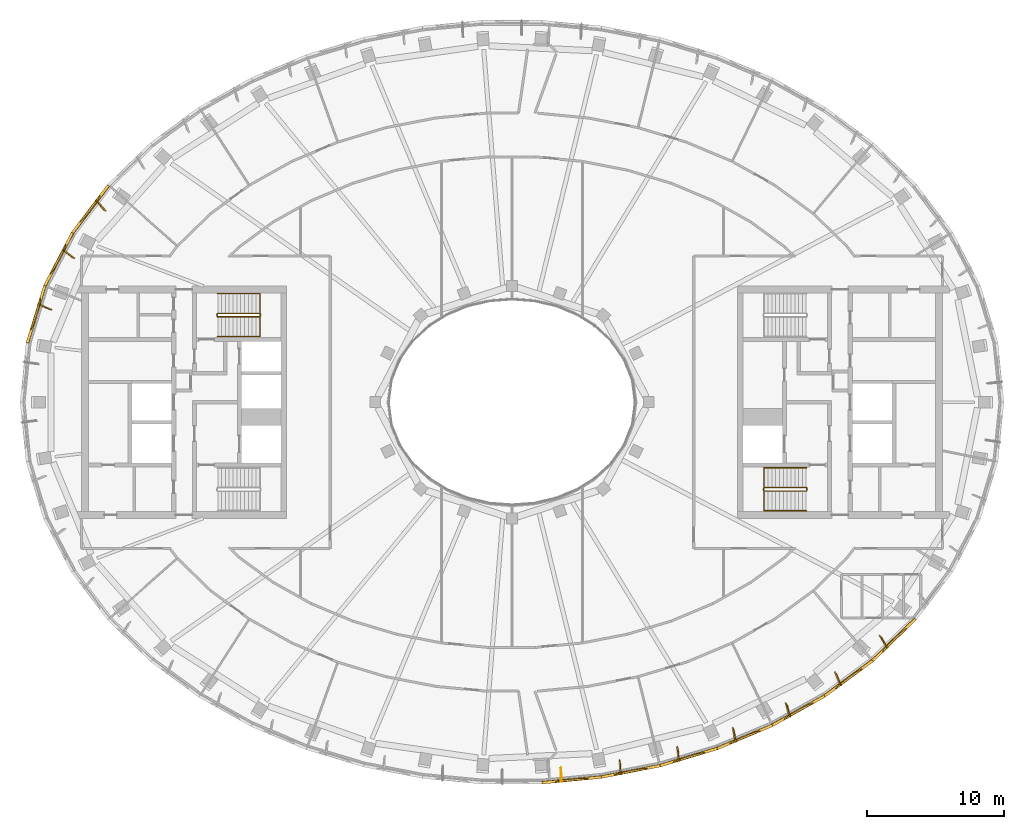
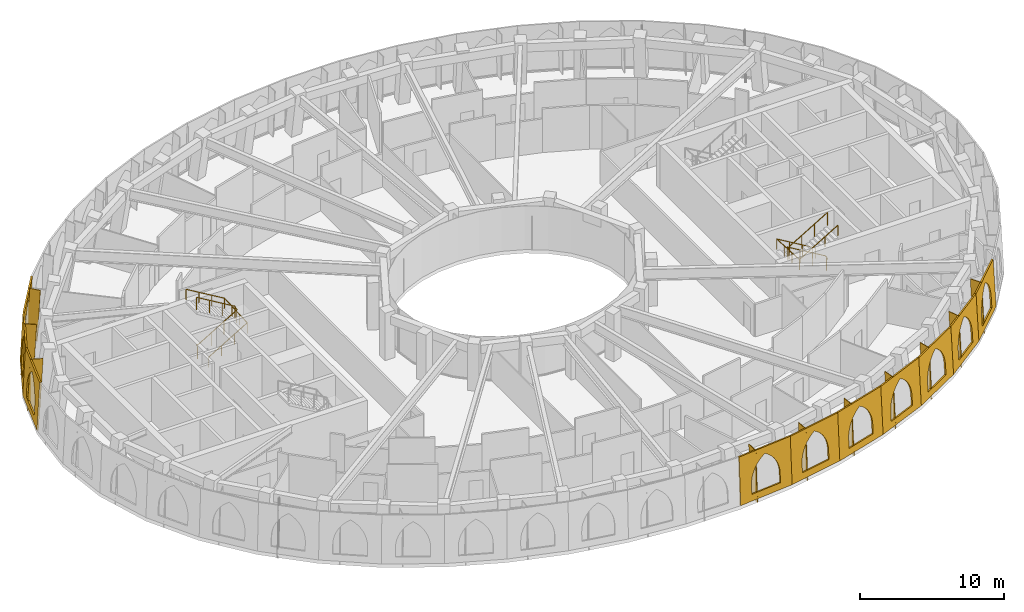
# One storey, part 13 of 15: 20 coverings, 4 railings.
"""IFC4 building model written with IfcOpenShell, lengths in metres."""

from ifc_helpers import new_model, si_unit, direction, frame, origin, origin_2d, place, context, subcontext, project, spatial, polyline, rectangle, outline, extrude, material, layer, layer_set, type_object, element, save


model = new_model("IFC4")

# Units and contexts
model_context = context("Model", 3, precision=1e-05, world=origin(), true_north=direction((0.0, 1.0)))
body_context = subcontext(model_context, "Body", "Model", "MODEL_VIEW")
ifc_project = project(units=[si_unit("LENGTHUNIT", "METRE"), si_unit("AREAUNIT", "SQUARE_METRE"), si_unit("VOLUMEUNIT", "CUBIC_METRE"), si_unit("PLANEANGLEUNIT", "RADIAN"), si_unit("MASSUNIT", "GRAM", prefix="KILO")], contexts=[model_context])

# Site, building, storey
site_placement = place(None, origin())
site = spatial("IfcSite", under=ifc_project, at=site_placement, CompositionType="ELEMENT")
building_placement = place(site_placement, origin())
building = spatial("IfcBuilding", under=site, at=building_placement, Name="Noorbagh Ring Tower", CompositionType="ELEMENT")
storey_placement = place(building_placement, frame((0.0, 0.0, 331.0)))
storey = spatial("IfcBuildingStorey", under=building, at=storey_placement, Name="L72", CompositionType="ELEMENT", Elevation=331.0)

# Railings
ifc_material_1 = material(Name="Stainless steel", Category="steel")
railing_type_1 = type_object("IfcRailingType", Name="CORE-STAIR-GUARD", PredefinedType="GUARDRAIL", material=ifc_material_1)
railing_1_placement = place(storey_placement, frame((-21.580078125, 6.300048828125, 0.0)))
element("IfcRailing", 1, at=railing_1_placement, inside=storey, type_object=railing_type_1, Name="L72 ST1 stair guard", PredefinedType="GUARDRAIL", context=body_context, shape_type="SweptSolid", body=[
    extrude(rectangle(XDim=0.048095703125, YDim=0.048095703125, at=origin_2d()), frame((0.0, 0.0, 1.076171875), z_axis=(0.0, 1.0, 0.0), x_axis=(-1.0, 0.0, 0.0)), (0.0, 0.0, 1.0), 0.14990234375),
    extrude(rectangle(XDim=0.048095703125, YDim=0.048095703125, at=origin_2d()), frame((0.0, 0.14990234375, 1.076171875), z_axis=(0.188775798145, -0.754182335027, 0.628945707965), x_axis=(0.970072785993, 0.242814311512, 0.0)), (0.0, 0.0, 1.0), 0.26513671875),
    extrude(rectangle(XDim=0.048095703125, YDim=0.048095703125, at=origin_2d()), frame((0.050048828125, -0.050048828125, 1.24267578125), z_axis=(0.859308565015, 0.0, 0.511457515432), x_axis=(0.0, 1.0, 0.0)), (0.0, 0.0, 1.0), 3.58447265625),
    extrude(rectangle(XDim=0.048095703125, YDim=0.048095703125, at=origin_2d()), frame((3.130126953125, -0.050048828125, 3.076171875), z_axis=(0.707106781187, 0.707106781187, 0.0), x_axis=(-0.707106781187, 0.707106781187, 0.0)), (0.0, 0.0, 1.0), 0.07080078125),
    extrude(rectangle(XDim=0.048095703125, YDim=0.048095703125, at=origin_2d()), frame((3.18017578125, 0.0, 3.076171875), z_axis=(0.0, 1.0, 0.0), x_axis=(-1.0, 0.0, 0.0)), (0.0, 0.0, 1.0), 0.14990234375),
    extrude(rectangle(XDim=0.048095703125, YDim=0.048095703125, at=origin_2d()), frame((3.18017578125, 0.14990234375, 3.076171875), z_axis=(-0.27628659633, 0.27628659633, 0.920506074601), x_axis=(-0.707106781187, -0.707106781187, 0.0)), (0.0, 0.0, 1.0), 0.18115234375),
    extrude(rectangle(XDim=0.048095703125, YDim=0.048095703125, at=origin_2d()), frame((3.130126953125, 0.199951171875, 3.24267578125), z_axis=(-0.859308565015, 0.0, 0.511457515432), x_axis=(0.0, -1.0, 0.0)), (0.0, 0.0, 1.0), 3.58447265625),
    extrude(rectangle(XDim=0.0419921875, YDim=0.0419921875, at=origin_2d()), origin(), (0.0, 0.0, 1.0), 1.052001953125),
    extrude(rectangle(XDim=0.0419921875, YDim=0.0419921875, at=origin_2d()), frame((1.07666015625, -0.050048828125, 0.77783203125)), (0.0, 0.0, 1.0), 1.052001953125),
    extrude(rectangle(XDim=0.0419921875, YDim=0.0419921875, at=origin_2d()), frame((2.103515625, -0.050048828125, 1.388916015625)), (0.0, 0.0, 1.0), 1.052001953125),
    extrude(rectangle(XDim=0.0419921875, YDim=0.0419921875, at=origin_2d()), frame((3.130126953125, -0.050048828125, 2.0)), (0.0, 0.0, 1.0), 1.052001953125),
    extrude(rectangle(XDim=0.0419921875, YDim=0.0419921875, at=origin_2d()), frame((3.130126953125, 0.199951171875, 2.166748046875)), (0.0, 0.0, 1.0), 1.052001953125),
    extrude(rectangle(XDim=0.0419921875, YDim=0.0419921875, at=origin_2d()), frame((2.103515625, 0.199951171875, 2.77783203125)), (0.0, 0.0, 1.0), 1.052001953125),
    extrude(rectangle(XDim=0.0419921875, YDim=0.0419921875, at=origin_2d()), frame((1.07666015625, 0.199951171875, 3.388916015625)), (0.0, 0.0, 1.0), 1.052001953125),
    extrude(rectangle(XDim=0.0419921875, YDim=0.0419921875, at=origin_2d()), frame((0.050048828125, 0.199951171875, 4.0)), (0.0, 0.0, 1.0), 1.052001953125),
])
railing_2_placement = place(storey_placement, frame((21.580078125, -6.300048828125, 0.0)))
element("IfcRailing", 2, at=railing_2_placement, inside=storey, type_object=railing_type_1, Name="L72 ST4 stair guard", PredefinedType="GUARDRAIL", context=body_context, shape_type="SweptSolid", body=[
    extrude(rectangle(XDim=0.048095703125, YDim=0.048095703125, at=origin_2d()), frame((0.0, 0.0, 1.076171875), z_axis=(0.0, -1.0, 0.0), x_axis=(1.0, 0.0, 0.0)), (0.0, 0.0, 1.0), 0.14990234375),
    extrude(rectangle(XDim=0.048095703125, YDim=0.048095703125, at=origin_2d()), frame((0.0, -0.14990234375, 1.076171875), z_axis=(-0.188775798145, 0.754182335027, 0.628945707965), x_axis=(-0.970072785993, -0.242814311512, 0.0)), (0.0, 0.0, 1.0), 0.26513671875),
    extrude(rectangle(XDim=0.048095703125, YDim=0.048095703125, at=origin_2d()), frame((-0.050048828125, 0.050048828125, 1.24267578125), z_axis=(-0.859308565015, 0.0, 0.511457515432), x_axis=(0.0, -1.0, 0.0)), (0.0, 0.0, 1.0), 3.58447265625),
    extrude(rectangle(XDim=0.048095703125, YDim=0.048095703125, at=origin_2d()), frame((-3.130126953125, 0.050048828125, 3.076171875), z_axis=(-0.707106781187, -0.707106781187, 0.0), x_axis=(0.707106781187, -0.707106781187, 0.0)), (0.0, 0.0, 1.0), 0.07080078125),
    extrude(rectangle(XDim=0.048095703125, YDim=0.048095703125, at=origin_2d()), frame((-3.18017578125, 0.0, 3.076171875), z_axis=(0.0, -1.0, 0.0), x_axis=(1.0, 0.0, 0.0)), (0.0, 0.0, 1.0), 0.14990234375),
    extrude(rectangle(XDim=0.048095703125, YDim=0.048095703125, at=origin_2d()), frame((-3.18017578125, -0.14990234375, 3.076171875), z_axis=(0.27628659633, -0.27628659633, 0.920506074601), x_axis=(0.707106781187, 0.707106781187, 0.0)), (0.0, 0.0, 1.0), 0.18115234375),
    extrude(rectangle(XDim=0.048095703125, YDim=0.048095703125, at=origin_2d()), frame((-3.130126953125, -0.199951171875, 3.24267578125), z_axis=(0.859308565015, 0.0, 0.511457515432), x_axis=(0.0, 1.0, 0.0)), (0.0, 0.0, 1.0), 3.58447265625),
    extrude(rectangle(XDim=0.0419921875, YDim=0.0419921875, at=origin_2d()), origin(), (0.0, 0.0, 1.0), 1.052001953125),
    extrude(rectangle(XDim=0.0419921875, YDim=0.0419921875, at=origin_2d()), frame((-1.07666015625, 0.050048828125, 0.77783203125)), (0.0, 0.0, 1.0), 1.052001953125),
    extrude(rectangle(XDim=0.0419921875, YDim=0.0419921875, at=origin_2d()), frame((-2.103515625, 0.050048828125, 1.388916015625)), (0.0, 0.0, 1.0), 1.052001953125),
    extrude(rectangle(XDim=0.0419921875, YDim=0.0419921875, at=origin_2d()), frame((-3.130126953125, 0.050048828125, 2.0)), (0.0, 0.0, 1.0), 1.052001953125),
    extrude(rectangle(XDim=0.0419921875, YDim=0.0419921875, at=origin_2d()), frame((-3.130126953125, -0.199951171875, 2.166748046875)), (0.0, 0.0, 1.0), 1.052001953125),
    extrude(rectangle(XDim=0.0419921875, YDim=0.0419921875, at=origin_2d()), frame((-2.103515625, -0.199951171875, 2.77783203125)), (0.0, 0.0, 1.0), 1.052001953125),
    extrude(rectangle(XDim=0.0419921875, YDim=0.0419921875, at=origin_2d()), frame((-1.07666015625, -0.199951171875, 3.388916015625)), (0.0, 0.0, 1.0), 1.052001953125),
    extrude(rectangle(XDim=0.0419921875, YDim=0.0419921875, at=origin_2d()), frame((-0.050048828125, -0.199951171875, 4.0)), (0.0, 0.0, 1.0), 1.052001953125),
])
ifc_material_2 = material(Name="Stainless steel", Category="steel")
railing_type_2 = type_object("IfcRailingType", Name="CORE-STAIR-HANDRAIL", PredefinedType="HANDRAIL", material=ifc_material_2)
railing_3_placement = place(storey_placement, frame((-21.530029296875, 4.800048828125, 0.166748046875)))
element("IfcRailing", 3, at=railing_3_placement, inside=storey, type_object=railing_type_2, Name="L72 ST1 stair handrail", PredefinedType="HANDRAIL", context=body_context, shape_type="SweptSolid", body=[
    extrude(rectangle(XDim=0.048095703125, YDim=0.048095703125, at=origin_2d()), frame((0.0, 0.0, 0.8759765625), z_axis=(0.859308565015, 0.0, 0.511457515432), x_axis=(0.0, 1.0, 0.0)), (0.0, 0.0, 1.0), 3.58447265625),
    extrude(rectangle(XDim=0.048095703125, YDim=0.048095703125, at=origin_2d()), frame((3.080078125, 0.0, 2.708984375), z_axis=(0.0, 0.998601747152, 0.052863509014), x_axis=(-1.0, 0.0, 0.0)), (0.0, 0.0, 1.0), 3.154296875),
    extrude(rectangle(XDim=0.048095703125, YDim=0.048095703125, at=origin_2d()), frame((3.080078125, 3.14990234375, 2.8759765625), z_axis=(-0.859308565015, 0.0, 0.511457515432), x_axis=(0.0, -1.0, 0.0)), (0.0, 0.0, 1.0), 3.58447265625),
    extrude(rectangle(XDim=0.0419921875, YDim=0.0419921875, at=origin_2d()), origin(), (0.0, 0.0, 1.0), 0.851806640625),
    extrude(rectangle(XDim=0.0419921875, YDim=0.0419921875, at=origin_2d()), frame((1.026611328125, 0.0, 0.611083984375)), (0.0, 0.0, 1.0), 0.851806640625),
    extrude(rectangle(XDim=0.0419921875, YDim=0.0419921875, at=origin_2d()), frame((2.053466796875, 0.0, 1.22216796875)), (0.0, 0.0, 1.0), 0.851806640625),
    extrude(rectangle(XDim=0.0419921875, YDim=0.0419921875, at=origin_2d()), frame((3.080078125, 0.0, 1.833251953125)), (0.0, 0.0, 1.0), 0.851806640625),
    extrude(rectangle(XDim=0.0419921875, YDim=0.0419921875, at=origin_2d()), frame((3.080078125, 1.050048828125, 1.888916015625)), (0.0, 0.0, 1.0), 0.851806640625),
    extrude(rectangle(XDim=0.0419921875, YDim=0.0419921875, at=origin_2d()), frame((3.080078125, 2.099853515625, 1.9443359375)), (0.0, 0.0, 1.0), 0.851806640625),
    extrude(rectangle(XDim=0.0419921875, YDim=0.0419921875, at=origin_2d()), frame((3.080078125, 3.14990234375, 2.0)), (0.0, 0.0, 1.0), 0.851806640625),
    extrude(rectangle(XDim=0.0419921875, YDim=0.0419921875, at=origin_2d()), frame((2.053466796875, 3.14990234375, 2.611083984375)), (0.0, 0.0, 1.0), 0.851806640625),
    extrude(rectangle(XDim=0.0419921875, YDim=0.0419921875, at=origin_2d()), frame((1.026611328125, 3.14990234375, 3.22216796875)), (0.0, 0.0, 1.0), 0.851806640625),
    extrude(rectangle(XDim=0.0419921875, YDim=0.0419921875, at=origin_2d()), frame((0.0, 3.14990234375, 3.833251953125)), (0.0, 0.0, 1.0), 0.851806640625),
])
railing_4_placement = place(storey_placement, frame((21.530029296875, -4.800048828125, 0.166748046875)))
element("IfcRailing", 4, at=railing_4_placement, inside=storey, type_object=railing_type_2, Name="L72 ST4 stair handrail", PredefinedType="HANDRAIL", context=body_context, shape_type="SweptSolid", body=[
    extrude(rectangle(XDim=0.048095703125, YDim=0.048095703125, at=origin_2d()), frame((0.0, 0.0, 0.8759765625), z_axis=(-0.859308565015, 0.0, 0.511457515432), x_axis=(0.0, -1.0, 0.0)), (0.0, 0.0, 1.0), 3.58447265625),
    extrude(rectangle(XDim=0.048095703125, YDim=0.048095703125, at=origin_2d()), frame((-3.080078125, 0.0, 2.708984375), z_axis=(0.0, -0.998601747152, 0.052863509014), x_axis=(1.0, 0.0, 0.0)), (0.0, 0.0, 1.0), 3.154296875),
    extrude(rectangle(XDim=0.048095703125, YDim=0.048095703125, at=origin_2d()), frame((-3.080078125, -3.14990234375, 2.8759765625), z_axis=(0.859308565015, 0.0, 0.511457515432), x_axis=(0.0, 1.0, 0.0)), (0.0, 0.0, 1.0), 3.58447265625),
    extrude(rectangle(XDim=0.0419921875, YDim=0.0419921875, at=origin_2d()), origin(), (0.0, 0.0, 1.0), 0.851806640625),
    extrude(rectangle(XDim=0.0419921875, YDim=0.0419921875, at=origin_2d()), frame((-1.026611328125, 0.0, 0.611083984375)), (0.0, 0.0, 1.0), 0.851806640625),
    extrude(rectangle(XDim=0.0419921875, YDim=0.0419921875, at=origin_2d()), frame((-2.053466796875, 0.0, 1.22216796875)), (0.0, 0.0, 1.0), 0.851806640625),
    extrude(rectangle(XDim=0.0419921875, YDim=0.0419921875, at=origin_2d()), frame((-3.080078125, 0.0, 1.833251953125)), (0.0, 0.0, 1.0), 0.851806640625),
    extrude(rectangle(XDim=0.0419921875, YDim=0.0419921875, at=origin_2d()), frame((-3.080078125, -1.050048828125, 1.888916015625)), (0.0, 0.0, 1.0), 0.851806640625),
    extrude(rectangle(XDim=0.0419921875, YDim=0.0419921875, at=origin_2d()), frame((-3.080078125, -2.099853515625, 1.9443359375)), (0.0, 0.0, 1.0), 0.851806640625),
    extrude(rectangle(XDim=0.0419921875, YDim=0.0419921875, at=origin_2d()), frame((-3.080078125, -3.14990234375, 2.0)), (0.0, 0.0, 1.0), 0.851806640625),
    extrude(rectangle(XDim=0.0419921875, YDim=0.0419921875, at=origin_2d()), frame((-2.053466796875, -3.14990234375, 2.611083984375)), (0.0, 0.0, 1.0), 0.851806640625),
    extrude(rectangle(XDim=0.0419921875, YDim=0.0419921875, at=origin_2d()), frame((-1.026611328125, -3.14990234375, 3.22216796875)), (0.0, 0.0, 1.0), 0.851806640625),
    extrude(rectangle(XDim=0.0419921875, YDim=0.0419921875, at=origin_2d()), frame((0.0, -3.14990234375, 3.833251953125)), (0.0, 0.0, 1.0), 0.851806640625),
])

# Coverings
ifc_material_3 = material(Name="Aluminium 6063-T6 black anodised", Category="aluminium")
ifc_layer_1 = layer(ifc_material_3, 0.050048828125)
ifc_layer_set_1 = layer_set([ifc_layer_1], Name="Aluminium 6063-T6 black anodised")
covering_type_1 = type_object("IfcCoveringType", Name="STYLE-HEAD-FIN", PredefinedType="CLADDING", material=ifc_layer_set_1)
covering_1_placement = place(storey_placement, frame((-30.502685546875, 14.773193359375, -0.31494140625), z_axis=(-0.764116430804, -0.64490124751, 0.015114930901), x_axis=(0.042421693939, -0.026855655197, 0.99873879151)))
element("IfcCovering", 5, at=covering_1_placement, inside=storey, type_object=covering_type_1, Name="Fin rib F20 L72", ObjectType="FIN", PredefinedType="CLADDING", context=body_context, shape_type="SweptSolid", body=[
    extrude(outline(polyline([(0.0, 0.0), (4.3203917308394315, 2.7755575615628914e-17), (4.363479803882294, -0.8988377741312422), (0.04309842990173446, -0.8989949230499945), (0.0, 0.0)])), origin(), (0.0, 0.0, -1.0), 0.050048828125),
])
covering_2_placement = place(storey_placement, frame((-32.944580078125, 11.146728515625, -0.31494140625), z_axis=(-0.609483930236, -0.792708850073, 0.011917122108), x_axis=(0.045931231231, -0.020300342172, 0.998738313126)))
element("IfcCovering", 6, at=covering_2_placement, inside=storey, type_object=covering_type_1, Name="Fin rib F21 L72", ObjectType="FIN", PredefinedType="CLADDING", context=body_context, shape_type="SweptSolid", body=[
    extrude(outline(polyline([(0.0, 0.0), (4.32039327637094, -2.7755575615628914e-17), (4.364296090462197, -0.898847255753012), (0.043914027770757626, -0.8990404849468758), (0.0, 0.0)])), origin(), (0.0, 0.0, -1.0), 0.050048828125),
])
covering_3_placement = place(storey_placement, frame((-34.722900390625, 7.15673828125, -0.31494140625), z_axis=(-0.40049449565, -0.91626847701, 0.007499132783), x_axis=(0.048382302964, -0.012973410848, 0.998744633713)))
element("IfcCovering", 7, at=covering_3_placement, inside=storey, type_object=covering_type_1, Name="Fin rib F22 L72", ObjectType="FIN", PredefinedType="CLADDING", context=body_context, shape_type="SweptSolid", body=[
    extrude(outline(polyline([(0.0, 0.0), (4.320364207050518, -2.7755575615628914e-17), (4.364940421363235, -0.8988925879084151), (0.044579381649349846, -0.8989903307193711), (0.0, 0.0)])), origin(), (0.0, 0.0, -1.0), 0.050048828125),
])
covering_4_placement = place(storey_placement, frame((3.650146484375, -27.82470703125, -0.31494140625), z_axis=(0.999348498305, 0.035942908802, 0.003268982004), x_axis=(-0.005057555359, 0.049783775, 0.998747213704)))
element("IfcCovering", 8, at=covering_4_placement, inside=storey, type_object=covering_type_1, Name="Fin rib F36 L72", ObjectType="FIN", PredefinedType="CLADDING", context=body_context, shape_type="SweptSolid", body=[
    extrude(outline(polyline([(0.0, 0.0), (4.320353487108868, 0.0), (4.365293936806532, -0.8988772683094207), (0.044939214942937955, -0.8988685439105552), (0.0, 0.0)])), origin(), (0.0, 0.0, -1.0), 0.050048828125),
])
covering_5_placement = place(storey_placement, frame((7.997802734375, -27.267822265625, -0.31494140625), z_axis=(0.997794948635, 0.065913870468, 0.007784738823), x_axis=(-0.011021154996, 0.048880347363, 0.998743833916)))
element("IfcCovering", 9, at=covering_5_placement, inside=storey, type_object=covering_type_1, Name="Fin rib F37 L72", ObjectType="FIN", PredefinedType="CLADDING", context=body_context, shape_type="SweptSolid", body=[
    extrude(outline(polyline([(0.0, 0.0), (4.320368443924735, 2.7755575615628914e-17), (4.364914356586794, -0.8988036803014559), (0.044557846340613654, -0.8990469975253996), (0.0, 0.0)])), origin(), (0.0, 0.0, -1.0), 0.050048828125),
])
covering_6_placement = place(storey_placement, frame((12.27001953125, -26.2880859375, -0.31494140625), z_axis=(0.994014034415, 0.108622816039, 0.011712524155), x_axis=(-0.016924820505, 0.047188170981, 0.998742622987)))
element("IfcCovering", 10, at=covering_6_placement, inside=storey, type_object=covering_type_1, Name="Fin rib F38 L72", ObjectType="FIN", PredefinedType="CLADDING", context=body_context, shape_type="SweptSolid", body=[
    extrude(outline(polyline([(0.0, 0.0), (4.320375167868033, 2.7755575615628914e-17), (4.364250796493104, -0.8990187191163703), (0.04387976066132674, -0.8990450700791668), (0.0, 0.0)])), origin(), (0.0, 0.0, -1.0), 0.050048828125),
])
covering_7_placement = place(storey_placement, frame((16.419189453125, -24.878173828125, -0.31494140625), z_axis=(0.985324921997, 0.170051947727, 0.014735439126), x_axis=(-0.022660129151, 0.0447551678, 0.998740954153)))
element("IfcCovering", 11, at=covering_7_placement, inside=storey, type_object=covering_type_1, Name="Fin rib F39 L72", ObjectType="FIN", PredefinedType="CLADDING", context=body_context, shape_type="SweptSolid", body=[
    extrude(outline(polyline([(0.0, 0.0), (4.3203809639608926, -2.7755575615628914e-17), (4.36354586278741, -0.8990396405337513), (0.043164898826517833, -0.8990396405337514), (0.0, 0.0)])), origin(), (0.0, 0.0, -1.0), 0.050048828125),
])
covering_8_placement = place(storey_placement, frame((20.390625, -23.028564453125, -0.31494140625), z_axis=(0.966983595457, 0.254290917459, 0.016698964468), x_axis=(-0.028167919259, 0.041527193426, 0.998740236764)))
element("IfcCovering", 12, at=covering_8_placement, inside=storey, type_object=covering_type_1, Name="Fin rib F40 L72", ObjectType="FIN", PredefinedType="CLADDING", context=body_context, shape_type="SweptSolid", body=[
    extrude(outline(polyline([(0.0, 0.0), (4.320382093632918, 2.7755575615628914e-17), (4.362976320398077, -0.898975721855775), (0.04258734983174663, -0.8989138866238457), (0.0, 0.0)])), origin(), (0.0, 0.0, -1.0), 0.050048828125),
])
covering_9_placement = place(storey_placement, frame((24.11865234375, -20.729736328125, -0.31494140625), z_axis=(0.931288864338, 0.363863116793, 0.017455182551), x_axis=(-0.033374369557, 0.037508638465, 0.998738831476)))
element("IfcCovering", 13, at=covering_9_placement, inside=storey, type_object=covering_type_1, Name="Fin rib F41 L72", ObjectType="FIN", PredefinedType="CLADDING", context=body_context, shape_type="SweptSolid", body=[
    extrude(outline(polyline([(0.0, 0.0), (4.320387383173463, 0.0), (4.3627593460141005, -0.8988994919300412), (0.04237297218363265, -0.8990381509641956), (0.0, 0.0)])), origin(), (0.0, 0.0, -1.0), 0.050048828125),
])
covering_10_placement = place(storey_placement, frame((27.522216796875, -17.976318359375, -0.31494140625), z_axis=(0.867834081661, 0.4965638136, 0.016981923659), x_axis=(-0.038200005746, 0.032605626206, 0.998738020054)))
element("IfcCovering", 14, at=covering_10_placement, inside=storey, type_object=covering_type_1, Name="Fin rib F42 L72", ObjectType="FIN", PredefinedType="CLADDING", context=body_context, shape_type="SweptSolid", body=[
    extrude(outline(polyline([(0.0, 0.0), (4.320393656404708, 0.0), (4.362943025150162, -0.8990936109283568), (0.04254936874545527, -0.8990936109283569), (0.0, 0.0)])), origin(), (0.0, 0.0, -1.0), 0.050048828125),
])
ifc_material_4 = material(Name="Red sandstone jali", Category="masonry")
ifc_layer_2 = layer(ifc_material_4, 0.1201171875)
ifc_layer_set_2 = layer_set([ifc_layer_2], Name="Red sandstone jali")
covering_type_2 = type_object("IfcCoveringType", Name="STYLE-HEAD-SKIN", PredefinedType="CLADDING", material=ifc_layer_set_2)
covering_11_placement = place(storey_placement, frame((-29.607666015625, 15.927978515625, 0.0), z_axis=(-0.79596577234, 0.603274131979, 0.049988108063), x_axis=(-0.604029260024, -0.796962140277, 5.38625e-07)))
element("IfcCovering", 15, at=covering_11_placement, inside=storey, type_object=covering_type_2, Name="Head skin panel", ObjectType="HEAD SKIN", PredefinedType="CLADDING", context=body_context, shape_type="SweptSolid", body=[
    extrude(outline(polyline([(0.0, 0.0), (4.383056640625, 0.0), (4.345703125, 4.0048828125), (-0.009033203125, 4.005126953125), (0.0, 0.0)]), holes=[polyline([(0.96923828125, 0.550048828125), (0.964599609375, 1.34326171875), (0.983642578125, 1.66162109375), (1.044189453125, 1.974365234375), (1.14501953125, 2.2763671875), (1.2841796875, 2.5625), (1.4599609375, 2.82763671875), (1.6689453125, 3.0673828125), (1.907470703125, 3.27783203125), (2.171630859375, 3.455078125), (2.43798828125, 3.27783203125), (2.678955078125, 3.0673828125), (2.890625, 2.82763671875), (3.0693359375, 2.5625), (3.212158203125, 2.2763671875), (3.31640625, 1.974365234375), (3.380615234375, 1.66162109375), (3.4033203125, 1.34326171875), (3.40771484375, 0.550048828125), (0.96923828125, 0.550048828125)])]), origin(), (0.0, 0.0, -1.0), 0.1201171875),
])
covering_12_placement = place(storey_placement, frame((-32.255126953125, 12.434814453125, 0.0), z_axis=(-0.885625793003, 0.46169787204, 0.050020293105), x_axis=(-0.462276558695, -0.886735802413, -2.16802e-07)))
element("IfcCovering", 16, at=covering_12_placement, inside=storey, type_object=covering_type_2, Name="Head skin panel", ObjectType="HEAD SKIN", PredefinedType="CLADDING", context=body_context, shape_type="SweptSolid", body=[
    extrude(outline(polyline([(0.0, 0.0), (4.38232421875, 0.0), (4.348388671875, 4.005126953125), (-0.00390625, 4.005126953125), (0.0, 0.0)]), holes=[polyline([(0.969970703125, 0.550048828125), (0.966064453125, 1.34423828125), (0.9853515625, 1.662353515625), (1.046142578125, 1.97509765625), (1.147216796875, 2.277099609375), (1.286865234375, 2.56298828125), (1.462646484375, 2.827880859375), (1.671875, 3.067626953125), (1.910400390625, 3.278076171875), (2.1748046875, 3.455078125), (2.440673828125, 3.278076171875), (2.681396484375, 3.067626953125), (2.892578125, 2.827880859375), (3.071044921875, 2.56298828125), (3.21337890625, 2.277099609375), (3.3173828125, 1.97509765625), (3.381103515625, 1.662353515625), (3.4033203125, 1.34423828125), (3.4072265625, 0.550048828125), (0.969970703125, 0.550048828125)])]), origin(), (0.0, 0.0, -1.0), 0.1201171875),
])
covering_13_placement = place(storey_placement, frame((-34.281005859375, 8.548828125, 0.0), z_axis=(-0.955162988671, 0.291812694975, 0.050090080098), x_axis=(-0.292179532732, -0.956363487723, -1.377217e-06)))
element("IfcCovering", 17, at=covering_13_placement, inside=storey, type_object=covering_type_2, Name="Head skin panel", ObjectType="HEAD SKIN", PredefinedType="CLADDING", context=body_context, shape_type="SweptSolid", body=[
    extrude(outline(polyline([(0.0, 0.0), (4.38134765625, 0.0), (4.353271484375, 4.005126953125), (0.0029296875, 4.005126953125), (0.0, 0.0)]), holes=[polyline([(0.970703125, 0.550048828125), (0.96826171875, 1.34521484375), (0.988037109375, 1.6630859375), (1.04931640625, 1.9755859375), (1.15087890625, 2.277587890625), (1.290771484375, 2.563232421875), (1.467041015625, 2.828369140625), (1.676513671875, 3.06787109375), (1.915283203125, 3.278076171875), (2.1796875, 3.455078125), (2.4453125, 3.278076171875), (2.685546875, 3.06787109375), (2.896484375, 2.828369140625), (3.07421875, 2.563232421875), (3.21630859375, 2.277587890625), (3.319580078125, 1.9755859375), (3.3828125, 1.6630859375), (3.404541015625, 1.34521484375), (3.406982421875, 0.550048828125), (0.970703125, 0.550048828125)])]), origin(), (0.0, 0.0, -1.0), 0.1201171875),
])
covering_14_placement = place(storey_placement, frame((2.193115234375, -27.947998046875, 0.0), z_axis=(0.094874475322, -0.994230988155, 0.050035748467), x_axis=(0.995477893409, 0.094993493109, 6.33357e-07)))
element("IfcCovering", 18, at=covering_14_placement, inside=storey, type_object=covering_type_2, Name="Head skin panel", ObjectType="HEAD SKIN", PredefinedType="CLADDING", context=body_context, shape_type="SweptSolid", body=[
    extrude(outline(polyline([(0.0, 0.0), (4.386474609375, 0.0), (4.368896484375, 4.005126953125), (0.0068359375, 4.005126953125), (0.0, 0.0)]), holes=[polyline([(0.97119140625, 0.550048828125), (0.969970703125, 1.339599609375), (0.990478515625, 1.658447265625), (1.052490234375, 1.971923828125), (1.15478515625, 2.2744140625), (1.295654296875, 2.56103515625), (1.472900390625, 2.82666015625), (1.68310546875, 3.06689453125), (1.923095703125, 3.277587890625), (2.1884765625, 3.455078125), (2.454345703125, 3.277587890625), (2.69482421875, 3.06689453125), (2.906005859375, 2.82666015625), (3.083740234375, 2.56103515625), (3.2255859375, 2.2744140625), (3.32861328125, 1.971923828125), (3.391357421875, 1.658447265625), (3.41259765625, 1.339599609375), (3.413818359375, 0.550048828125), (0.97119140625, 0.550048828125)])]), origin(), (0.0, 0.0, -1.0), 0.1201171875),
])
covering_15_placement = place(storey_placement, frame((6.559814453125, -27.53125, 0.0), z_axis=(0.190581454703, -0.980392035011, 0.050101564952), x_axis=(0.981624833367, 0.190821085097, -3.3482e-07)))
element("IfcCovering", 19, at=covering_15_placement, inside=storey, type_object=covering_type_2, Name="Head skin panel", ObjectType="HEAD SKIN", PredefinedType="CLADDING", context=body_context, shape_type="SweptSolid", body=[
    extrude(outline(polyline([(0.0, 0.0), (4.385986328125, 0.0), (4.363037109375, 4.005126953125), (0.001708984375, 4.005126953125), (0.0, 0.0)]), holes=[polyline([(0.970458984375, 0.550048828125), (0.96826171875, 1.33984375), (0.98828125, 1.65869140625), (1.0498046875, 1.971923828125), (1.15185546875, 2.2744140625), (1.292236328125, 2.56103515625), (1.468994140625, 2.82666015625), (1.67919921875, 3.06689453125), (1.918701171875, 3.277587890625), (2.18408203125, 3.455078125), (2.4501953125, 3.277587890625), (2.69091796875, 3.06689453125), (2.902099609375, 2.82666015625), (3.080322265625, 2.56103515625), (3.222412109375, 2.2744140625), (3.325927734375, 1.971923828125), (3.38916015625, 1.65869140625), (3.410888671875, 1.33984375), (3.412841796875, 0.550048828125), (0.970458984375, 0.550048828125)])]), origin(), (0.0, 0.0, -1.0), 0.1201171875),
])
covering_16_placement = place(storey_placement, frame((10.865234375, -26.6943359375, 0.0), z_axis=(0.287813423954, -0.956376829291, 0.050067887788), x_axis=(0.957577810955, 0.288174835762, -2.5497e-07)))
element("IfcCovering", 20, at=covering_16_placement, inside=storey, type_object=covering_type_2, Name="Head skin panel", ObjectType="HEAD SKIN", PredefinedType="CLADDING", context=body_context, shape_type="SweptSolid", body=[
    extrude(outline(polyline([(0.0, 0.0), (4.385986328125, 0.0), (4.3583984375, 4.005126953125), (-0.0029296875, 4.005126953125), (0.0, 0.0)]), holes=[polyline([(0.9697265625, 0.550048828125), (0.966796875, 1.340087890625), (0.986572265625, 1.65869140625), (1.047607421875, 1.97216796875), (1.149169921875, 2.274658203125), (1.289306640625, 2.561279296875), (1.4658203125, 2.826904296875), (1.675537109375, 3.06689453125), (1.914794921875, 3.277587890625), (2.1796875, 3.455078125), (2.446044921875, 3.277587890625), (2.68701171875, 3.06689453125), (2.898681640625, 2.826904296875), (3.0771484375, 2.561279296875), (3.219482421875, 2.274658203125), (3.323486328125, 1.97216796875), (3.386962890625, 1.65869140625), (3.408935546875, 1.340087890625), (3.412109375, 0.550048828125), (0.9697265625, 0.550048828125)])]), origin(), (0.0, 0.0, -1.0), 0.1201171875),
])
covering_17_placement = place(storey_placement, frame((15.065185546875, -25.430419921875, 0.0), z_axis=(0.387158674161, -0.9206553537, 0.050018803714), x_axis=(0.921809198989, 0.387643909612, 2.67957e-07)))
element("IfcCovering", 21, at=covering_17_placement, inside=storey, type_object=covering_type_2, Name="Head skin panel", ObjectType="HEAD SKIN", PredefinedType="CLADDING", context=body_context, shape_type="SweptSolid", body=[
    extrude(outline(polyline([(0.0, 0.0), (4.385986328125, 0.0), (4.353515625, 4.005126953125), (-0.006591796875, 4.005126953125), (0.0, 0.0)]), holes=[polyline([(0.96923828125, 0.550048828125), (0.965576171875, 1.34033203125), (0.98486328125, 1.6591796875), (1.045654296875, 1.972412109375), (1.146728515625, 2.27490234375), (1.28662109375, 2.561279296875), (1.462890625, 2.826904296875), (1.67236328125, 3.06689453125), (1.911376953125, 3.277587890625), (2.176025390625, 3.455078125), (2.4423828125, 3.277587890625), (2.68359375, 3.06689453125), (2.8955078125, 2.826904296875), (3.07421875, 2.561279296875), (3.216796875, 2.27490234375), (3.321044921875, 1.972412109375), (3.384765625, 1.6591796875), (3.4072265625, 1.34033203125), (3.4111328125, 0.550048828125), (0.96923828125, 0.550048828125)])]), origin(), (0.0, 0.0, -1.0), 0.1201171875),
])
covering_18_placement = place(storey_placement, frame((19.108154296875, -23.730224609375, 0.0), z_axis=(0.488804911263, -0.870959957397, 0.049985111155), x_axis=(0.872050028273, 0.489416742857, 9.76713e-07)))
element("IfcCovering", 22, at=covering_18_placement, inside=storey, type_object=covering_type_2, Name="Head skin panel", ObjectType="HEAD SKIN", PredefinedType="CLADDING", context=body_context, shape_type="SweptSolid", body=[
    extrude(outline(polyline([(0.0, 0.0), (4.3857421875, 0.0), (4.349853515625, 4.0048828125), (-0.009765625, 4.005126953125), (0.0, 0.0)]), holes=[polyline([(0.968994140625, 0.550048828125), (0.964599609375, 1.3408203125), (0.983642578125, 1.659423828125), (1.044189453125, 1.97265625), (1.14501953125, 2.275146484375), (1.28466796875, 2.5615234375), (1.460693359375, 2.826904296875), (1.669921875, 3.067138671875), (1.90869140625, 3.277587890625), (2.173095703125, 3.455078125), (2.439697265625, 3.277587890625), (2.680908203125, 3.067138671875), (2.892822265625, 2.826904296875), (3.07177734375, 2.5615234375), (3.214599609375, 2.275146484375), (3.319091796875, 1.97265625), (3.383056640625, 1.659423828125), (3.40576171875, 1.3408203125), (3.41015625, 0.550048828125), (0.968994140625, 0.550048828125)])]), origin(), (0.0, 0.0, -1.0), 0.1201171875),
])
covering_19_placement = place(storey_placement, frame((22.9326171875, -21.583740234375, 0.0), z_axis=(0.592292250536, -0.804169833402, 0.050007689408), x_axis=(0.805177238596, 0.593034243907, 2.07883e-07)))
element("IfcCovering", 23, at=covering_19_placement, inside=storey, type_object=covering_type_2, Name="Head skin panel", ObjectType="HEAD SKIN", PredefinedType="CLADDING", context=body_context, shape_type="SweptSolid", body=[
    extrude(outline(polyline([(0.0, 0.0), (4.384765625, 0.0), (4.3466796875, 4.005126953125), (-0.011474609375, 4.005126953125), (0.0, 0.0)]), holes=[polyline([(0.96875, 0.550048828125), (0.964111328125, 1.341552734375), (0.98291015625, 1.66015625), (1.043212890625, 1.97314453125), (1.14404296875, 2.275390625), (1.283447265625, 2.561767578125), (1.459228515625, 2.8271484375), (1.668212890625, 3.067138671875), (1.906982421875, 3.277587890625), (2.171142578125, 3.455078125), (2.437744140625, 3.277587890625), (2.67919921875, 3.067138671875), (2.89111328125, 2.8271484375), (3.070068359375, 2.561767578125), (3.212890625, 2.275390625), (3.3173828125, 1.97314453125), (3.381591796875, 1.66015625), (3.404541015625, 1.341552734375), (3.409423828125, 0.550048828125), (0.96875, 0.550048828125)])]), origin(), (0.0, 0.0, -1.0), 0.1201171875),
])
covering_20_placement = place(storey_placement, frame((26.463134765625, -18.9833984375, 0.0), z_axis=(0.69599524663, -0.716303244207, 0.050002789998), x_axis=(0.717200394606, 0.696866984422, 3.23883e-07)))
element("IfcCovering", 24, at=covering_20_placement, inside=storey, type_object=covering_type_2, Name="Head skin panel", ObjectType="HEAD SKIN", PredefinedType="CLADDING", context=body_context, shape_type="SweptSolid", body=[
    extrude(outline(polyline([(0.0, 0.0), (4.384521484375, 0.0), (4.345458984375, 4.005126953125), (-0.010986328125, 4.005126953125), (0.0, 0.0)]), holes=[polyline([(0.968994140625, 0.550048828125), (0.964111328125, 1.34228515625), (0.98291015625, 1.66064453125), (1.043212890625, 1.9736328125), (1.143798828125, 2.27587890625), (1.283203125, 2.56201171875), (1.458984375, 2.827392578125), (1.667724609375, 3.0673828125), (1.906494140625, 3.27783203125), (2.170654296875, 3.455078125), (2.43701171875, 3.27783203125), (2.67822265625, 3.0673828125), (2.89013671875, 2.827392578125), (3.069091796875, 2.56201171875), (3.212158203125, 2.27587890625), (3.31640625, 1.9736328125), (3.380615234375, 1.66064453125), (3.403564453125, 1.34228515625), (3.408447265625, 0.550048828125), (0.968994140625, 0.550048828125)])]), origin(), (0.0, 0.0, -1.0), 0.1201171875),
])

save(model, "model.ifc")
